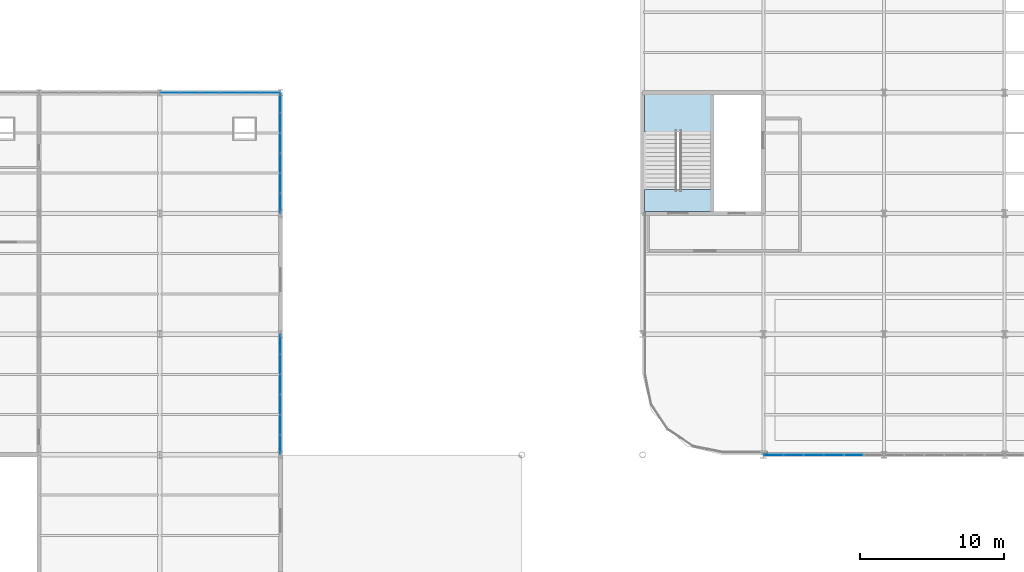
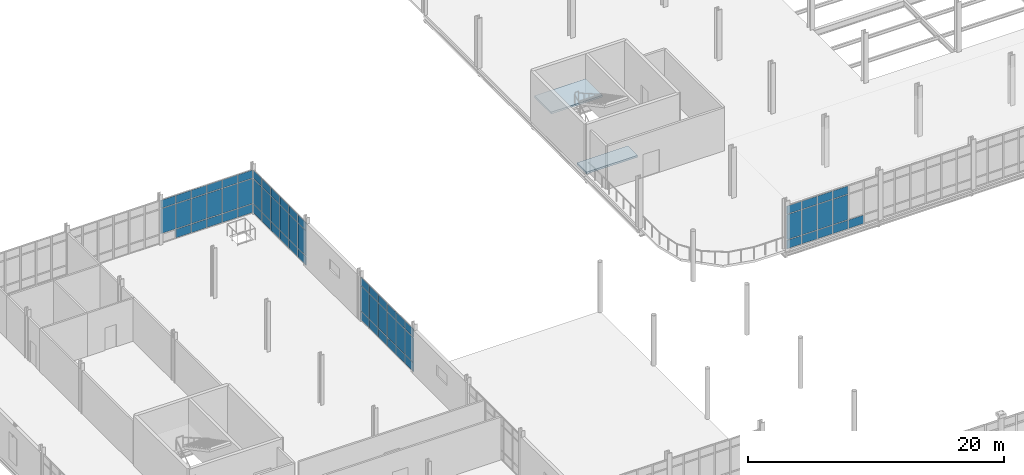
# One storey, part 115 of 145: 66 plates, 2 slabs, 5 elements without a shape of their own.
"""IFC4 building model written with IfcOpenShell, lengths in metres."""

from ifc_helpers import new_model, si_unit, direction, frame, origin, origin_2d, place, context, subcontext, project, spatial, polyline, rectangle, outline, extrude, material, layer, layer_set, type_object, element, aggregate, save


model = new_model("IFC4")

# Units and contexts
model_context = context("Model", 3, precision=1e-05, world=origin(), true_north=direction((0.0, 1.0)))
body_context = subcontext(model_context, "Body", "Model", "MODEL_VIEW")
ifc_project = project(units=[si_unit("LENGTHUNIT", "METRE"), si_unit("AREAUNIT", "SQUARE_METRE"), si_unit("VOLUMEUNIT", "CUBIC_METRE"), si_unit("PLANEANGLEUNIT", "RADIAN"), si_unit("MASSUNIT", "GRAM", prefix="KILO")], contexts=[model_context])

# Site, building, storey
site_placement = place(None, origin())
site = spatial("IfcSite", under=ifc_project, at=site_placement, CompositionType="ELEMENT")
building_placement = place(site_placement, origin())
building = spatial("IfcBuilding", under=site, at=building_placement, Name="Qalvenar Corner Mobility Hub", CompositionType="ELEMENT")
storey_placement = place(building_placement, origin())
storey = spatial("IfcBuildingStorey", under=building, at=storey_placement, Name="L00", CompositionType="ELEMENT", Elevation=0.0)

# Curtain wall, plates
ifc_material_1 = material(Name="Anodised Aluminium and Low-E Glazing", Category="aluminium")
ifc_layer_1 = layer(ifc_material_1, 0.14990234375)
ifc_layer_set_1 = layer_set([ifc_layer_1], Name="Anodised Aluminium and Low-E Glazing")
curtain_wall_type_1 = type_object("IfcCurtainWallType", Name="CW-MOB-84X46", PredefinedType="NOTDEFINED", material=ifc_layer_set_1)
curtain_wall_1_placement = place(storey_placement, origin())
curtain_wall_1 = element("IfcCurtainWall", 1, at=curtain_wall_1_placement, inside=storey, type_object=curtain_wall_type_1, Name="Glazed Curtain Wall CW-V4-L00-S1", PredefinedType="NOTDEFINED")
ifc_material_2 = material(Name="Solar-Control Low-E Double Glazing", Category="glass")
ifc_layer_2 = layer(ifc_material_2, 0.028076171875)
ifc_layer_set_2 = layer_set([ifc_layer_2], Name="Solar-Control Low-E Double Glazing")
plate_type = type_object("IfcPlateType", Name="PLT-CWP-GLZ1", PredefinedType="CURTAIN_PANEL", material=ifc_layer_set_2)
plate_1_placement = place(storey_placement, frame((67.9150390625, 67.199951171875, 0.05517578125), z_axis=(0.0, 0.0, 1.0), x_axis=(1.0, 0.0, 0.0)))
plate_1 = element("IfcPlate", 2, at=plate_1_placement, type_object=plate_type, Name="CW-03 panel 1.1", PredefinedType="CURTAIN_PANEL", context=body_context, shape_type="SweptSolid", body=[
    extrude(rectangle(XDim=1.31005859375, YDim=0.028076171875, at=origin_2d()), origin(), (0.0, 0.0, 1.0), 0.8173828125),
])
plate_2_placement = place(storey_placement, frame((67.9150390625, 67.199951171875, 0.927490234375), z_axis=(0.0, 0.0, 1.0), x_axis=(1.0, 0.0, 0.0)))
plate_2 = element("IfcPlate", 3, at=plate_2_placement, type_object=plate_type, Name="CW-03 panel 1.2", PredefinedType="CURTAIN_PANEL", context=body_context, shape_type="SweptSolid", body=[
    extrude(rectangle(XDim=1.31005859375, YDim=0.028076171875, at=origin_2d()), origin(), (0.0, 0.0, 1.0), 2.39501953125),
])
plate_3_placement = place(storey_placement, frame((67.9150390625, 67.199951171875, 3.37744140625), z_axis=(0.0, 0.0, 1.0), x_axis=(1.0, 0.0, 0.0)))
plate_3 = element("IfcPlate", 4, at=plate_3_placement, type_object=plate_type, Name="CW-03 panel 1.3", PredefinedType="CURTAIN_PANEL", context=body_context, shape_type="SweptSolid", body=[
    extrude(rectangle(XDim=1.31005859375, YDim=0.028076171875, at=origin_2d()), origin(), (0.0, 0.0, 1.0), 0.767578125),
])
plate_4_placement = place(storey_placement, frame((69.300048828125, 67.199951171875, 0.05517578125), z_axis=(0.0, 0.0, 1.0), x_axis=(1.0, 0.0, 0.0)))
plate_4 = element("IfcPlate", 5, at=plate_4_placement, type_object=plate_type, Name="CW-03 panel 2.1", PredefinedType="CURTAIN_PANEL", context=body_context, shape_type="SweptSolid", body=[
    extrude(rectangle(XDim=1.340087890625, YDim=0.028076171875, at=origin_2d()), origin(), (0.0, 0.0, 1.0), 0.8173828125),
])
plate_5_placement = place(storey_placement, frame((69.300048828125, 67.199951171875, 0.927490234375), z_axis=(0.0, 0.0, 1.0), x_axis=(1.0, 0.0, 0.0)))
plate_5 = element("IfcPlate", 6, at=plate_5_placement, type_object=plate_type, Name="CW-03 panel 2.2", PredefinedType="CURTAIN_PANEL", context=body_context, shape_type="SweptSolid", body=[
    extrude(rectangle(XDim=1.340087890625, YDim=0.028076171875, at=origin_2d()), origin(), (0.0, 0.0, 1.0), 2.39501953125),
])
plate_6_placement = place(storey_placement, frame((69.300048828125, 67.199951171875, 3.37744140625), z_axis=(0.0, 0.0, 1.0), x_axis=(1.0, 0.0, 0.0)))
plate_6 = element("IfcPlate", 7, at=plate_6_placement, type_object=plate_type, Name="CW-03 panel 2.3", PredefinedType="CURTAIN_PANEL", context=body_context, shape_type="SweptSolid", body=[
    extrude(rectangle(XDim=1.340087890625, YDim=0.028076171875, at=origin_2d()), origin(), (0.0, 0.0, 1.0), 0.767578125),
])
plate_7_placement = place(storey_placement, frame((70.699951171875, 67.199951171875, 0.05517578125), z_axis=(0.0, 0.0, 1.0), x_axis=(1.0, 0.0, 0.0)))
plate_7 = element("IfcPlate", 8, at=plate_7_placement, type_object=plate_type, Name="CW-03 panel 3.1", PredefinedType="CURTAIN_PANEL", context=body_context, shape_type="SweptSolid", body=[
    extrude(rectangle(XDim=1.340087890625, YDim=0.028076171875, at=origin_2d()), origin(), (0.0, 0.0, 1.0), 0.8173828125),
])
plate_8_placement = place(storey_placement, frame((70.699951171875, 67.199951171875, 0.927490234375), z_axis=(0.0, 0.0, 1.0), x_axis=(1.0, 0.0, 0.0)))
plate_8 = element("IfcPlate", 9, at=plate_8_placement, type_object=plate_type, Name="CW-03 panel 3.2", PredefinedType="CURTAIN_PANEL", context=body_context, shape_type="SweptSolid", body=[
    extrude(rectangle(XDim=1.340087890625, YDim=0.028076171875, at=origin_2d()), origin(), (0.0, 0.0, 1.0), 2.39501953125),
])
plate_9_placement = place(storey_placement, frame((70.699951171875, 67.199951171875, 3.37744140625), z_axis=(0.0, 0.0, 1.0), x_axis=(1.0, 0.0, 0.0)))
plate_9 = element("IfcPlate", 10, at=plate_9_placement, type_object=plate_type, Name="CW-03 panel 3.3", PredefinedType="CURTAIN_PANEL", context=body_context, shape_type="SweptSolid", body=[
    extrude(rectangle(XDim=1.340087890625, YDim=0.028076171875, at=origin_2d()), origin(), (0.0, 0.0, 1.0), 0.767578125),
])
plate_10_placement = place(storey_placement, frame((72.10009765625, 67.199951171875, 0.05517578125), z_axis=(0.0, 0.0, 1.0), x_axis=(1.0, 0.0, 0.0)))
plate_10 = element("IfcPlate", 11, at=plate_10_placement, type_object=plate_type, Name="CW-03 panel 4.1", PredefinedType="CURTAIN_PANEL", context=body_context, shape_type="SweptSolid", body=[
    extrude(rectangle(XDim=1.340087890625, YDim=0.028076171875, at=origin_2d()), origin(), (0.0, 0.0, 1.0), 0.8173828125),
])
plate_11_placement = place(storey_placement, frame((72.10009765625, 67.199951171875, 0.927490234375), z_axis=(0.0, 0.0, 1.0), x_axis=(1.0, 0.0, 0.0)))
plate_11 = element("IfcPlate", 12, at=plate_11_placement, type_object=plate_type, Name="CW-03 panel 4.2", PredefinedType="CURTAIN_PANEL", context=body_context, shape_type="SweptSolid", body=[
    extrude(rectangle(XDim=1.340087890625, YDim=0.028076171875, at=origin_2d()), origin(), (0.0, 0.0, 1.0), 2.39501953125),
])
plate_12_placement = place(storey_placement, frame((72.10009765625, 67.199951171875, 3.37744140625), z_axis=(0.0, 0.0, 1.0), x_axis=(1.0, 0.0, 0.0)))
plate_12 = element("IfcPlate", 13, at=plate_12_placement, type_object=plate_type, Name="CW-03 panel 4.3", PredefinedType="CURTAIN_PANEL", context=body_context, shape_type="SweptSolid", body=[
    extrude(rectangle(XDim=1.340087890625, YDim=0.028076171875, at=origin_2d()), origin(), (0.0, 0.0, 1.0), 0.767578125),
])
plate_13_placement = place(storey_placement, frame((73.5, 67.199951171875, 0.05517578125), z_axis=(0.0, 0.0, 1.0), x_axis=(1.0, 0.0, 0.0)))
plate_13 = element("IfcPlate", 14, at=plate_13_placement, type_object=plate_type, Name="CW-03 panel 5.1", PredefinedType="CURTAIN_PANEL", context=body_context, shape_type="SweptSolid", body=[
    extrude(rectangle(XDim=1.340087890625, YDim=0.028076171875, at=origin_2d()), origin(), (0.0, 0.0, 1.0), 0.8173828125),
])
aggregate(curtain_wall_1, [plate_1, plate_2, plate_3, plate_4, plate_5, plate_6, plate_7, plate_8, plate_9, plate_10, plate_11, plate_12, plate_13])

ifc_layer_3 = layer(ifc_material_1, 0.14990234375)
ifc_layer_set_3 = layer_set([ifc_layer_3], Name="Anodised Aluminium and Low-E Glazing")
curtain_wall_type_2 = type_object("IfcCurtainWallType", Name="CW-CYC-84X39", PredefinedType="NOTDEFINED", material=ifc_layer_set_3)
curtain_wall_2_placement = place(storey_placement, origin())
curtain_wall_2 = element("IfcCurtainWall", 15, at=curtain_wall_2_placement, inside=storey, type_object=curtain_wall_type_2, Name="Glazed Curtain Wall CW-V5-L00-E3", PredefinedType="NOTDEFINED")
plate_14_placement = place(storey_placement, frame((33.60009765625, 67.9150390625, 0.05517578125), z_axis=(0.0, 0.0, 1.0), x_axis=(0.0, 1.0, 0.0)))
plate_14 = element("IfcPlate", 16, at=plate_14_placement, type_object=plate_type, Name="CW-08 panel 1.1", PredefinedType="CURTAIN_PANEL", context=body_context, shape_type="SweptSolid", body=[
    extrude(rectangle(XDim=1.31005859375, YDim=0.028076171875, at=origin_2d()), origin(), (0.0, 0.0, 1.0), 0.8173828125),
])
plate_15_placement = place(storey_placement, frame((33.60009765625, 67.9150390625, 0.927734375), z_axis=(0.0, 0.0, 1.0), x_axis=(0.0, 1.0, 0.0)))
plate_15 = element("IfcPlate", 17, at=plate_15_placement, type_object=plate_type, Name="CW-08 panel 1.2", PredefinedType="CURTAIN_PANEL", context=body_context, shape_type="SweptSolid", body=[
    extrude(rectangle(XDim=1.31005859375, YDim=0.028076171875, at=origin_2d()), origin(), (0.0, 0.0, 1.0), 2.364990234375),
])
plate_16_placement = place(storey_placement, frame((33.60009765625, 67.9150390625, 3.347412109375), z_axis=(0.0, 0.0, 1.0), x_axis=(0.0, 1.0, 0.0)))
plate_16 = element("IfcPlate", 18, at=plate_16_placement, type_object=plate_type, Name="CW-08 panel 1.3", PredefinedType="CURTAIN_PANEL", context=body_context, shape_type="SweptSolid", body=[
    extrude(rectangle(XDim=1.31005859375, YDim=0.028076171875, at=origin_2d()), origin(), (0.0, 0.0, 1.0), 0.767578125),
])
plate_17_placement = place(storey_placement, frame((33.60009765625, 69.300048828125, 0.05517578125), z_axis=(0.0, 0.0, 1.0), x_axis=(0.0, 1.0, 0.0)))
plate_17 = element("IfcPlate", 19, at=plate_17_placement, type_object=plate_type, Name="CW-08 panel 2.1", PredefinedType="CURTAIN_PANEL", context=body_context, shape_type="SweptSolid", body=[
    extrude(rectangle(XDim=1.340087890625, YDim=0.028076171875, at=origin_2d()), origin(), (0.0, 0.0, 1.0), 0.8173828125),
])
plate_18_placement = place(storey_placement, frame((33.60009765625, 69.300048828125, 0.927734375), z_axis=(0.0, 0.0, 1.0), x_axis=(0.0, 1.0, 0.0)))
plate_18 = element("IfcPlate", 20, at=plate_18_placement, type_object=plate_type, Name="CW-08 panel 2.2", PredefinedType="CURTAIN_PANEL", context=body_context, shape_type="SweptSolid", body=[
    extrude(rectangle(XDim=1.340087890625, YDim=0.028076171875, at=origin_2d()), origin(), (0.0, 0.0, 1.0), 2.364990234375),
])
plate_19_placement = place(storey_placement, frame((33.60009765625, 69.300048828125, 3.347412109375), z_axis=(0.0, 0.0, 1.0), x_axis=(0.0, 1.0, 0.0)))
plate_19 = element("IfcPlate", 21, at=plate_19_placement, type_object=plate_type, Name="CW-08 panel 2.3", PredefinedType="CURTAIN_PANEL", context=body_context, shape_type="SweptSolid", body=[
    extrude(rectangle(XDim=1.340087890625, YDim=0.028076171875, at=origin_2d()), origin(), (0.0, 0.0, 1.0), 0.767578125),
])
plate_20_placement = place(storey_placement, frame((33.60009765625, 70.699951171875, 0.05517578125), z_axis=(0.0, 0.0, 1.0), x_axis=(0.0, 1.0, 0.0)))
plate_20 = element("IfcPlate", 22, at=plate_20_placement, type_object=plate_type, Name="CW-08 panel 3.1", PredefinedType="CURTAIN_PANEL", context=body_context, shape_type="SweptSolid", body=[
    extrude(rectangle(XDim=1.340087890625, YDim=0.028076171875, at=origin_2d()), origin(), (0.0, 0.0, 1.0), 0.8173828125),
])
plate_21_placement = place(storey_placement, frame((33.60009765625, 70.699951171875, 0.927734375), z_axis=(0.0, 0.0, 1.0), x_axis=(0.0, 1.0, 0.0)))
plate_21 = element("IfcPlate", 23, at=plate_21_placement, type_object=plate_type, Name="CW-08 panel 3.2", PredefinedType="CURTAIN_PANEL", context=body_context, shape_type="SweptSolid", body=[
    extrude(rectangle(XDim=1.340087890625, YDim=0.028076171875, at=origin_2d()), origin(), (0.0, 0.0, 1.0), 2.364990234375),
])
plate_22_placement = place(storey_placement, frame((33.60009765625, 70.699951171875, 3.347412109375), z_axis=(0.0, 0.0, 1.0), x_axis=(0.0, 1.0, 0.0)))
plate_22 = element("IfcPlate", 24, at=plate_22_placement, type_object=plate_type, Name="CW-08 panel 3.3", PredefinedType="CURTAIN_PANEL", context=body_context, shape_type="SweptSolid", body=[
    extrude(rectangle(XDim=1.340087890625, YDim=0.028076171875, at=origin_2d()), origin(), (0.0, 0.0, 1.0), 0.767578125),
])
plate_23_placement = place(storey_placement, frame((33.60009765625, 72.10009765625, 0.05517578125), z_axis=(0.0, 0.0, 1.0), x_axis=(0.0, 1.0, 0.0)))
plate_23 = element("IfcPlate", 25, at=plate_23_placement, type_object=plate_type, Name="CW-08 panel 4.1", PredefinedType="CURTAIN_PANEL", context=body_context, shape_type="SweptSolid", body=[
    extrude(rectangle(XDim=1.340087890625, YDim=0.028076171875, at=origin_2d()), origin(), (0.0, 0.0, 1.0), 0.8173828125),
])
plate_24_placement = place(storey_placement, frame((33.60009765625, 72.10009765625, 0.927734375), z_axis=(0.0, 0.0, 1.0), x_axis=(0.0, 1.0, 0.0)))
plate_24 = element("IfcPlate", 26, at=plate_24_placement, type_object=plate_type, Name="CW-08 panel 4.2", PredefinedType="CURTAIN_PANEL", context=body_context, shape_type="SweptSolid", body=[
    extrude(rectangle(XDim=1.340087890625, YDim=0.028076171875, at=origin_2d()), origin(), (0.0, 0.0, 1.0), 2.364990234375),
])
plate_25_placement = place(storey_placement, frame((33.60009765625, 72.10009765625, 3.347412109375), z_axis=(0.0, 0.0, 1.0), x_axis=(0.0, 1.0, 0.0)))
plate_25 = element("IfcPlate", 27, at=plate_25_placement, type_object=plate_type, Name="CW-08 panel 4.3", PredefinedType="CURTAIN_PANEL", context=body_context, shape_type="SweptSolid", body=[
    extrude(rectangle(XDim=1.340087890625, YDim=0.028076171875, at=origin_2d()), origin(), (0.0, 0.0, 1.0), 0.767578125),
])
plate_26_placement = place(storey_placement, frame((33.60009765625, 73.5, 0.05517578125), z_axis=(0.0, 0.0, 1.0), x_axis=(0.0, 1.0, 0.0)))
plate_26 = element("IfcPlate", 28, at=plate_26_placement, type_object=plate_type, Name="CW-08 panel 5.1", PredefinedType="CURTAIN_PANEL", context=body_context, shape_type="SweptSolid", body=[
    extrude(rectangle(XDim=1.340087890625, YDim=0.028076171875, at=origin_2d()), origin(), (0.0, 0.0, 1.0), 0.8173828125),
])
plate_27_placement = place(storey_placement, frame((33.60009765625, 73.5, 0.927734375), z_axis=(0.0, 0.0, 1.0), x_axis=(0.0, 1.0, 0.0)))
plate_27 = element("IfcPlate", 29, at=plate_27_placement, type_object=plate_type, Name="CW-08 panel 5.2", PredefinedType="CURTAIN_PANEL", context=body_context, shape_type="SweptSolid", body=[
    extrude(rectangle(XDim=1.340087890625, YDim=0.028076171875, at=origin_2d()), origin(), (0.0, 0.0, 1.0), 2.364990234375),
])
plate_28_placement = place(storey_placement, frame((33.60009765625, 73.5, 3.347412109375), z_axis=(0.0, 0.0, 1.0), x_axis=(0.0, 1.0, 0.0)))
plate_28 = element("IfcPlate", 30, at=plate_28_placement, type_object=plate_type, Name="CW-08 panel 5.3", PredefinedType="CURTAIN_PANEL", context=body_context, shape_type="SweptSolid", body=[
    extrude(rectangle(XDim=1.340087890625, YDim=0.028076171875, at=origin_2d()), origin(), (0.0, 0.0, 1.0), 0.767578125),
])
plate_29_placement = place(storey_placement, frame((33.60009765625, 74.885009765625, 0.05517578125), z_axis=(0.0, 0.0, 1.0), x_axis=(0.0, 1.0, 0.0)))
plate_29 = element("IfcPlate", 31, at=plate_29_placement, type_object=plate_type, Name="CW-08 panel 6.1", PredefinedType="CURTAIN_PANEL", context=body_context, shape_type="SweptSolid", body=[
    extrude(rectangle(XDim=1.31005859375, YDim=0.028076171875, at=origin_2d()), origin(), (0.0, 0.0, 1.0), 0.8173828125),
])
plate_30_placement = place(storey_placement, frame((33.60009765625, 74.885009765625, 0.927734375), z_axis=(0.0, 0.0, 1.0), x_axis=(0.0, 1.0, 0.0)))
plate_30 = element("IfcPlate", 32, at=plate_30_placement, type_object=plate_type, Name="CW-08 panel 6.2", PredefinedType="CURTAIN_PANEL", context=body_context, shape_type="SweptSolid", body=[
    extrude(rectangle(XDim=1.31005859375, YDim=0.028076171875, at=origin_2d()), origin(), (0.0, 0.0, 1.0), 2.364990234375),
])
plate_31_placement = place(storey_placement, frame((33.60009765625, 74.885009765625, 3.347412109375), z_axis=(0.0, 0.0, 1.0), x_axis=(0.0, 1.0, 0.0)))
plate_31 = element("IfcPlate", 33, at=plate_31_placement, type_object=plate_type, Name="CW-08 panel 6.3", PredefinedType="CURTAIN_PANEL", context=body_context, shape_type="SweptSolid", body=[
    extrude(rectangle(XDim=1.31005859375, YDim=0.028076171875, at=origin_2d()), origin(), (0.0, 0.0, 1.0), 0.767578125),
])
aggregate(curtain_wall_2, [plate_14, plate_15, plate_16, plate_17, plate_18, plate_19, plate_20, plate_21, plate_22, plate_23, plate_24, plate_25, plate_26, plate_27, plate_28, plate_29, plate_30, plate_31])

curtain_wall_3_placement = place(storey_placement, origin())
curtain_wall_3 = element("IfcCurtainWall", 34, at=curtain_wall_3_placement, inside=storey, type_object=curtain_wall_type_2, Name="Glazed Curtain Wall CW-V5-L00-E5", PredefinedType="NOTDEFINED")
plate_32_placement = place(storey_placement, frame((33.60009765625, 84.715087890625, 0.05517578125), z_axis=(0.0, 0.0, 1.0), x_axis=(0.0, 1.0, 0.0)))
plate_32 = element("IfcPlate", 35, at=plate_32_placement, type_object=plate_type, Name="CW-08 panel 1.1", PredefinedType="CURTAIN_PANEL", context=body_context, shape_type="SweptSolid", body=[
    extrude(rectangle(XDim=1.31005859375, YDim=0.028076171875, at=origin_2d()), origin(), (0.0, 0.0, 1.0), 0.8173828125),
])
plate_33_placement = place(storey_placement, frame((33.60009765625, 84.715087890625, 0.927734375), z_axis=(0.0, 0.0, 1.0), x_axis=(0.0, 1.0, 0.0)))
plate_33 = element("IfcPlate", 36, at=plate_33_placement, type_object=plate_type, Name="CW-08 panel 1.2", PredefinedType="CURTAIN_PANEL", context=body_context, shape_type="SweptSolid", body=[
    extrude(rectangle(XDim=1.31005859375, YDim=0.028076171875, at=origin_2d()), origin(), (0.0, 0.0, 1.0), 2.364990234375),
])
plate_34_placement = place(storey_placement, frame((33.60009765625, 84.715087890625, 3.347412109375), z_axis=(0.0, 0.0, 1.0), x_axis=(0.0, 1.0, 0.0)))
plate_34 = element("IfcPlate", 37, at=plate_34_placement, type_object=plate_type, Name="CW-08 panel 1.3", PredefinedType="CURTAIN_PANEL", context=body_context, shape_type="SweptSolid", body=[
    extrude(rectangle(XDim=1.31005859375, YDim=0.028076171875, at=origin_2d()), origin(), (0.0, 0.0, 1.0), 0.767578125),
])
plate_35_placement = place(storey_placement, frame((33.60009765625, 86.10009765625, 0.05517578125), z_axis=(0.0, 0.0, 1.0), x_axis=(0.0, 1.0, 0.0)))
plate_35 = element("IfcPlate", 38, at=plate_35_placement, type_object=plate_type, Name="CW-08 panel 2.1", PredefinedType="CURTAIN_PANEL", context=body_context, shape_type="SweptSolid", body=[
    extrude(rectangle(XDim=1.340087890625, YDim=0.028076171875, at=origin_2d()), origin(), (0.0, 0.0, 1.0), 0.8173828125),
])
plate_36_placement = place(storey_placement, frame((33.60009765625, 86.10009765625, 0.927734375), z_axis=(0.0, 0.0, 1.0), x_axis=(0.0, 1.0, 0.0)))
plate_36 = element("IfcPlate", 39, at=plate_36_placement, type_object=plate_type, Name="CW-08 panel 2.2", PredefinedType="CURTAIN_PANEL", context=body_context, shape_type="SweptSolid", body=[
    extrude(rectangle(XDim=1.340087890625, YDim=0.028076171875, at=origin_2d()), origin(), (0.0, 0.0, 1.0), 2.364990234375),
])
plate_37_placement = place(storey_placement, frame((33.60009765625, 86.10009765625, 3.347412109375), z_axis=(0.0, 0.0, 1.0), x_axis=(0.0, 1.0, 0.0)))
plate_37 = element("IfcPlate", 40, at=plate_37_placement, type_object=plate_type, Name="CW-08 panel 2.3", PredefinedType="CURTAIN_PANEL", context=body_context, shape_type="SweptSolid", body=[
    extrude(rectangle(XDim=1.340087890625, YDim=0.028076171875, at=origin_2d()), origin(), (0.0, 0.0, 1.0), 0.767578125),
])
plate_38_placement = place(storey_placement, frame((33.60009765625, 87.5, 0.05517578125), z_axis=(0.0, 0.0, 1.0), x_axis=(0.0, 1.0, 0.0)))
plate_38 = element("IfcPlate", 41, at=plate_38_placement, type_object=plate_type, Name="CW-08 panel 3.1", PredefinedType="CURTAIN_PANEL", context=body_context, shape_type="SweptSolid", body=[
    extrude(rectangle(XDim=1.340087890625, YDim=0.028076171875, at=origin_2d()), origin(), (0.0, 0.0, 1.0), 0.8173828125),
])
plate_39_placement = place(storey_placement, frame((33.60009765625, 87.5, 0.927734375), z_axis=(0.0, 0.0, 1.0), x_axis=(0.0, 1.0, 0.0)))
plate_39 = element("IfcPlate", 42, at=plate_39_placement, type_object=plate_type, Name="CW-08 panel 3.2", PredefinedType="CURTAIN_PANEL", context=body_context, shape_type="SweptSolid", body=[
    extrude(rectangle(XDim=1.340087890625, YDim=0.028076171875, at=origin_2d()), origin(), (0.0, 0.0, 1.0), 2.364990234375),
])
plate_40_placement = place(storey_placement, frame((33.60009765625, 87.5, 3.347412109375), z_axis=(0.0, 0.0, 1.0), x_axis=(0.0, 1.0, 0.0)))
plate_40 = element("IfcPlate", 43, at=plate_40_placement, type_object=plate_type, Name="CW-08 panel 3.3", PredefinedType="CURTAIN_PANEL", context=body_context, shape_type="SweptSolid", body=[
    extrude(rectangle(XDim=1.340087890625, YDim=0.028076171875, at=origin_2d()), origin(), (0.0, 0.0, 1.0), 0.767578125),
])
plate_41_placement = place(storey_placement, frame((33.60009765625, 88.89990234375, 0.05517578125), z_axis=(0.0, 0.0, 1.0), x_axis=(0.0, 1.0, 0.0)))
plate_41 = element("IfcPlate", 44, at=plate_41_placement, type_object=plate_type, Name="CW-08 panel 4.1", PredefinedType="CURTAIN_PANEL", context=body_context, shape_type="SweptSolid", body=[
    extrude(rectangle(XDim=1.340087890625, YDim=0.028076171875, at=origin_2d()), origin(), (0.0, 0.0, 1.0), 0.8173828125),
])
plate_42_placement = place(storey_placement, frame((33.60009765625, 88.89990234375, 0.927734375), z_axis=(0.0, 0.0, 1.0), x_axis=(0.0, 1.0, 0.0)))
plate_42 = element("IfcPlate", 45, at=plate_42_placement, type_object=plate_type, Name="CW-08 panel 4.2", PredefinedType="CURTAIN_PANEL", context=body_context, shape_type="SweptSolid", body=[
    extrude(rectangle(XDim=1.340087890625, YDim=0.028076171875, at=origin_2d()), origin(), (0.0, 0.0, 1.0), 2.364990234375),
])
plate_43_placement = place(storey_placement, frame((33.60009765625, 88.89990234375, 3.347412109375), z_axis=(0.0, 0.0, 1.0), x_axis=(0.0, 1.0, 0.0)))
plate_43 = element("IfcPlate", 46, at=plate_43_placement, type_object=plate_type, Name="CW-08 panel 4.3", PredefinedType="CURTAIN_PANEL", context=body_context, shape_type="SweptSolid", body=[
    extrude(rectangle(XDim=1.340087890625, YDim=0.028076171875, at=origin_2d()), origin(), (0.0, 0.0, 1.0), 0.767578125),
])
plate_44_placement = place(storey_placement, frame((33.60009765625, 90.300048828125, 0.05517578125), z_axis=(0.0, 0.0, 1.0), x_axis=(0.0, 1.0, 0.0)))
plate_44 = element("IfcPlate", 47, at=plate_44_placement, type_object=plate_type, Name="CW-08 panel 5.1", PredefinedType="CURTAIN_PANEL", context=body_context, shape_type="SweptSolid", body=[
    extrude(rectangle(XDim=1.340087890625, YDim=0.028076171875, at=origin_2d()), origin(), (0.0, 0.0, 1.0), 0.8173828125),
])
plate_45_placement = place(storey_placement, frame((33.60009765625, 90.300048828125, 0.927734375), z_axis=(0.0, 0.0, 1.0), x_axis=(0.0, 1.0, 0.0)))
plate_45 = element("IfcPlate", 48, at=plate_45_placement, type_object=plate_type, Name="CW-08 panel 5.2", PredefinedType="CURTAIN_PANEL", context=body_context, shape_type="SweptSolid", body=[
    extrude(rectangle(XDim=1.340087890625, YDim=0.028076171875, at=origin_2d()), origin(), (0.0, 0.0, 1.0), 2.364990234375),
])
plate_46_placement = place(storey_placement, frame((33.60009765625, 90.300048828125, 3.347412109375), z_axis=(0.0, 0.0, 1.0), x_axis=(0.0, 1.0, 0.0)))
plate_46 = element("IfcPlate", 49, at=plate_46_placement, type_object=plate_type, Name="CW-08 panel 5.3", PredefinedType="CURTAIN_PANEL", context=body_context, shape_type="SweptSolid", body=[
    extrude(rectangle(XDim=1.340087890625, YDim=0.028076171875, at=origin_2d()), origin(), (0.0, 0.0, 1.0), 0.767578125),
])
plate_47_placement = place(storey_placement, frame((33.60009765625, 91.68505859375, 0.05517578125), z_axis=(0.0, 0.0, 1.0), x_axis=(0.0, 1.0, 0.0)))
plate_47 = element("IfcPlate", 50, at=plate_47_placement, type_object=plate_type, Name="CW-08 panel 6.1", PredefinedType="CURTAIN_PANEL", context=body_context, shape_type="SweptSolid", body=[
    extrude(rectangle(XDim=1.31005859375, YDim=0.028076171875, at=origin_2d()), origin(), (0.0, 0.0, 1.0), 0.8173828125),
])
plate_48_placement = place(storey_placement, frame((33.60009765625, 91.68505859375, 0.927734375), z_axis=(0.0, 0.0, 1.0), x_axis=(0.0, 1.0, 0.0)))
plate_48 = element("IfcPlate", 51, at=plate_48_placement, type_object=plate_type, Name="CW-08 panel 6.2", PredefinedType="CURTAIN_PANEL", context=body_context, shape_type="SweptSolid", body=[
    extrude(rectangle(XDim=1.31005859375, YDim=0.028076171875, at=origin_2d()), origin(), (0.0, 0.0, 1.0), 2.364990234375),
])
plate_49_placement = place(storey_placement, frame((33.60009765625, 91.68505859375, 3.347412109375), z_axis=(0.0, 0.0, 1.0), x_axis=(0.0, 1.0, 0.0)))
plate_49 = element("IfcPlate", 52, at=plate_49_placement, type_object=plate_type, Name="CW-08 panel 6.3", PredefinedType="CURTAIN_PANEL", context=body_context, shape_type="SweptSolid", body=[
    extrude(rectangle(XDim=1.31005859375, YDim=0.028076171875, at=origin_2d()), origin(), (0.0, 0.0, 1.0), 0.767578125),
])
aggregate(curtain_wall_3, [plate_32, plate_33, plate_34, plate_35, plate_36, plate_37, plate_38, plate_39, plate_40, plate_41, plate_42, plate_43, plate_44, plate_45, plate_46, plate_47, plate_48, plate_49])

curtain_wall_4_placement = place(storey_placement, origin())
curtain_wall_4 = element("IfcCurtainWall", 53, at=curtain_wall_4_placement, inside=storey, type_object=curtain_wall_type_2, Name="Glazed Curtain Wall CW-V5-L00-N3", PredefinedType="NOTDEFINED")
plate_50_placement = place(storey_placement, frame((32.885009765625, 92.39990234375, 0.05517578125), z_axis=(0.0, 0.0, 1.0), x_axis=(-1.0, 0.0, 0.0)))
plate_50 = element("IfcPlate", 54, at=plate_50_placement, type_object=plate_type, Name="CW-08 panel 1.1", PredefinedType="CURTAIN_PANEL", context=body_context, shape_type="SweptSolid", body=[
    extrude(rectangle(XDim=1.31005859375, YDim=0.028076171875, at=origin_2d()), origin(), (0.0, 0.0, 1.0), 0.8173828125),
])
plate_51_placement = place(storey_placement, frame((32.885009765625, 92.39990234375, 0.927734375), z_axis=(0.0, 0.0, 1.0), x_axis=(-1.0, 0.0, 0.0)))
plate_51 = element("IfcPlate", 55, at=plate_51_placement, type_object=plate_type, Name="CW-08 panel 1.2", PredefinedType="CURTAIN_PANEL", context=body_context, shape_type="SweptSolid", body=[
    extrude(rectangle(XDim=1.31005859375, YDim=0.028076171875, at=origin_2d()), origin(), (0.0, 0.0, 1.0), 2.364990234375),
])
plate_52_placement = place(storey_placement, frame((32.885009765625, 92.39990234375, 3.347412109375), z_axis=(0.0, 0.0, 1.0), x_axis=(-1.0, 0.0, 0.0)))
plate_52 = element("IfcPlate", 56, at=plate_52_placement, type_object=plate_type, Name="CW-08 panel 1.3", PredefinedType="CURTAIN_PANEL", context=body_context, shape_type="SweptSolid", body=[
    extrude(rectangle(XDim=1.31005859375, YDim=0.028076171875, at=origin_2d()), origin(), (0.0, 0.0, 1.0), 0.767578125),
])
plate_53_placement = place(storey_placement, frame((31.5, 92.39990234375, 0.05517578125), z_axis=(0.0, 0.0, 1.0), x_axis=(-1.0, 0.0, 0.0)))
plate_53 = element("IfcPlate", 57, at=plate_53_placement, type_object=plate_type, Name="CW-08 panel 2.1", PredefinedType="CURTAIN_PANEL", context=body_context, shape_type="SweptSolid", body=[
    extrude(rectangle(XDim=1.340087890625, YDim=0.028076171875, at=origin_2d()), origin(), (0.0, 0.0, 1.0), 0.8173828125),
])
plate_54_placement = place(storey_placement, frame((31.5, 92.39990234375, 0.927734375), z_axis=(0.0, 0.0, 1.0), x_axis=(-1.0, 0.0, 0.0)))
plate_54 = element("IfcPlate", 58, at=plate_54_placement, type_object=plate_type, Name="CW-08 panel 2.2", PredefinedType="CURTAIN_PANEL", context=body_context, shape_type="SweptSolid", body=[
    extrude(rectangle(XDim=1.340087890625, YDim=0.028076171875, at=origin_2d()), origin(), (0.0, 0.0, 1.0), 2.364990234375),
])
plate_55_placement = place(storey_placement, frame((31.5, 92.39990234375, 3.347412109375), z_axis=(0.0, 0.0, 1.0), x_axis=(-1.0, 0.0, 0.0)))
plate_55 = element("IfcPlate", 59, at=plate_55_placement, type_object=plate_type, Name="CW-08 panel 2.3", PredefinedType="CURTAIN_PANEL", context=body_context, shape_type="SweptSolid", body=[
    extrude(rectangle(XDim=1.340087890625, YDim=0.028076171875, at=origin_2d()), origin(), (0.0, 0.0, 1.0), 0.767578125),
])
plate_56_placement = place(storey_placement, frame((30.10009765625, 92.39990234375, 0.05517578125), z_axis=(0.0, 0.0, 1.0), x_axis=(-1.0, 0.0, 0.0)))
plate_56 = element("IfcPlate", 60, at=plate_56_placement, type_object=plate_type, Name="CW-08 panel 3.1", PredefinedType="CURTAIN_PANEL", context=body_context, shape_type="SweptSolid", body=[
    extrude(rectangle(XDim=1.340087890625, YDim=0.028076171875, at=origin_2d()), origin(), (0.0, 0.0, 1.0), 0.8173828125),
])
plate_57_placement = place(storey_placement, frame((30.10009765625, 92.39990234375, 0.927734375), z_axis=(0.0, 0.0, 1.0), x_axis=(-1.0, 0.0, 0.0)))
plate_57 = element("IfcPlate", 61, at=plate_57_placement, type_object=plate_type, Name="CW-08 panel 3.2", PredefinedType="CURTAIN_PANEL", context=body_context, shape_type="SweptSolid", body=[
    extrude(rectangle(XDim=1.340087890625, YDim=0.028076171875, at=origin_2d()), origin(), (0.0, 0.0, 1.0), 2.364990234375),
])
plate_58_placement = place(storey_placement, frame((30.10009765625, 92.39990234375, 3.347412109375), z_axis=(0.0, 0.0, 1.0), x_axis=(-1.0, 0.0, 0.0)))
plate_58 = element("IfcPlate", 62, at=plate_58_placement, type_object=plate_type, Name="CW-08 panel 3.3", PredefinedType="CURTAIN_PANEL", context=body_context, shape_type="SweptSolid", body=[
    extrude(rectangle(XDim=1.340087890625, YDim=0.028076171875, at=origin_2d()), origin(), (0.0, 0.0, 1.0), 0.767578125),
])
plate_59_placement = place(storey_placement, frame((28.699951171875, 92.39990234375, 0.05517578125), z_axis=(0.0, 0.0, 1.0), x_axis=(-1.0, 0.0, 0.0)))
plate_59 = element("IfcPlate", 63, at=plate_59_placement, type_object=plate_type, Name="CW-08 panel 4.1", PredefinedType="CURTAIN_PANEL", context=body_context, shape_type="SweptSolid", body=[
    extrude(rectangle(XDim=1.340087890625, YDim=0.028076171875, at=origin_2d()), origin(), (0.0, 0.0, 1.0), 0.8173828125),
])
plate_60_placement = place(storey_placement, frame((28.699951171875, 92.39990234375, 0.927734375), z_axis=(0.0, 0.0, 1.0), x_axis=(-1.0, 0.0, 0.0)))
plate_60 = element("IfcPlate", 64, at=plate_60_placement, type_object=plate_type, Name="CW-08 panel 4.2", PredefinedType="CURTAIN_PANEL", context=body_context, shape_type="SweptSolid", body=[
    extrude(rectangle(XDim=1.340087890625, YDim=0.028076171875, at=origin_2d()), origin(), (0.0, 0.0, 1.0), 2.364990234375),
])
plate_61_placement = place(storey_placement, frame((28.699951171875, 92.39990234375, 3.347412109375), z_axis=(0.0, 0.0, 1.0), x_axis=(-1.0, 0.0, 0.0)))
plate_61 = element("IfcPlate", 65, at=plate_61_placement, type_object=plate_type, Name="CW-08 panel 4.3", PredefinedType="CURTAIN_PANEL", context=body_context, shape_type="SweptSolid", body=[
    extrude(rectangle(XDim=1.340087890625, YDim=0.028076171875, at=origin_2d()), origin(), (0.0, 0.0, 1.0), 0.767578125),
])
plate_62_placement = place(storey_placement, frame((27.300048828125, 92.39990234375, 0.05517578125), z_axis=(0.0, 0.0, 1.0), x_axis=(-1.0, 0.0, 0.0)))
plate_62 = element("IfcPlate", 66, at=plate_62_placement, type_object=plate_type, Name="CW-08 panel 5.1", PredefinedType="CURTAIN_PANEL", context=body_context, shape_type="SweptSolid", body=[
    extrude(rectangle(XDim=1.340087890625, YDim=0.028076171875, at=origin_2d()), origin(), (0.0, 0.0, 1.0), 0.8173828125),
])
plate_63_placement = place(storey_placement, frame((27.300048828125, 92.39990234375, 0.927734375), z_axis=(0.0, 0.0, 1.0), x_axis=(-1.0, 0.0, 0.0)))
plate_63 = element("IfcPlate", 67, at=plate_63_placement, type_object=plate_type, Name="CW-08 panel 5.2", PredefinedType="CURTAIN_PANEL", context=body_context, shape_type="SweptSolid", body=[
    extrude(rectangle(XDim=1.340087890625, YDim=0.028076171875, at=origin_2d()), origin(), (0.0, 0.0, 1.0), 2.364990234375),
])
plate_64_placement = place(storey_placement, frame((27.300048828125, 92.39990234375, 3.347412109375), z_axis=(0.0, 0.0, 1.0), x_axis=(-1.0, 0.0, 0.0)))
plate_64 = element("IfcPlate", 68, at=plate_64_placement, type_object=plate_type, Name="CW-08 panel 5.3", PredefinedType="CURTAIN_PANEL", context=body_context, shape_type="SweptSolid", body=[
    extrude(rectangle(XDim=1.340087890625, YDim=0.028076171875, at=origin_2d()), origin(), (0.0, 0.0, 1.0), 0.767578125),
])
plate_65_placement = place(storey_placement, frame((25.9150390625, 92.39990234375, 0.927734375), z_axis=(0.0, 0.0, 1.0), x_axis=(-1.0, 0.0, 0.0)))
plate_65 = element("IfcPlate", 69, at=plate_65_placement, type_object=plate_type, Name="CW-08 panel 6.2", PredefinedType="CURTAIN_PANEL", context=body_context, shape_type="SweptSolid", body=[
    extrude(rectangle(XDim=1.31005859375, YDim=0.028076171875, at=origin_2d()), origin(), (0.0, 0.0, 1.0), 2.364990234375),
])
plate_66_placement = place(storey_placement, frame((25.9150390625, 92.39990234375, 3.347412109375), z_axis=(0.0, 0.0, 1.0), x_axis=(-1.0, 0.0, 0.0)))
plate_66 = element("IfcPlate", 70, at=plate_66_placement, type_object=plate_type, Name="CW-08 panel 6.3", PredefinedType="CURTAIN_PANEL", context=body_context, shape_type="SweptSolid", body=[
    extrude(rectangle(XDim=1.31005859375, YDim=0.028076171875, at=origin_2d()), origin(), (0.0, 0.0, 1.0), 0.767578125),
])
aggregate(curtain_wall_4, [plate_50, plate_51, plate_52, plate_53, plate_54, plate_55, plate_56, plate_57, plate_58, plate_59, plate_60, plate_61, plate_62, plate_63, plate_64, plate_65, plate_66])

# Stair, slab
ifc_material_3 = material(Name="Concrete C35/45", Category="concrete")
stair_type = type_object("IfcStairType", Name="STR-200-H48", PredefinedType="TWO_QUARTER_TURN_STAIR", material=ifc_material_3)
stair_placement = place(storey_placement, origin())
stair = element("IfcStair", 71, at=stair_placement, inside=storey, type_object=stair_type, Name="Exit Stair ST3 L00-L01", PredefinedType="TWO_QUARTER_TURN_STAIR")
ifc_layer_4 = layer(ifc_material_3, 0.179931640625)
ifc_layer_set_4 = layer_set([ifc_layer_4], Name="Concrete C35/45")
slab_type_1 = type_object("IfcSlabType", Name="SLB-LND180", PredefinedType="LANDING", material=ifc_layer_set_4)
slab_1_placement = place(storey_placement, frame((0.0, 0.0, 2.219970703125)))
slab_1 = element("IfcSlab", 72, at=slab_1_placement, type_object=slab_type_1, Name="ST3 landing 1", PredefinedType="LANDING", context=body_context, shape_type="SweptSolid", body=[
    extrude(outline(polyline([(58.93994140625, 89.64990234375), (63.580078125, 89.64990234375), (63.580078125, 92.260009765625), (58.93994140625, 92.260009765625), (58.93994140625, 89.64990234375)])), origin(), (0.0, 0.0, 1.0), 0.179931640625),
])
aggregate(stair, [slab_1])

# Slab
ifc_layer_5 = layer(ifc_material_3, 0.175048828125)
ifc_layer_set_5 = layer_set([ifc_layer_5], Name="Concrete C35/45")
slab_type_2 = type_object("IfcSlabType", Name="SLB-LND200", PredefinedType="LANDING", material=ifc_layer_set_5)
slab_2_placement = place(storey_placement, frame((0.0, 0.0, -0.175048828125)))
element("IfcSlab", 73, at=slab_2_placement, inside=storey, type_object=slab_type_2, Name="Core Stair Arrival Landing C3-L00", PredefinedType="LANDING", context=body_context, shape_type="SweptSolid", body=[
    extrude(outline(polyline([(58.949951171875, 84.14990234375), (63.570068359375, 84.14990234375), (63.570068359375, 85.64990234375), (58.949951171875, 85.64990234375), (58.949951171875, 84.14990234375)])), origin(), (0.0, 0.0, 1.0), 0.175048828125),
])

save(model, "model.ifc")
